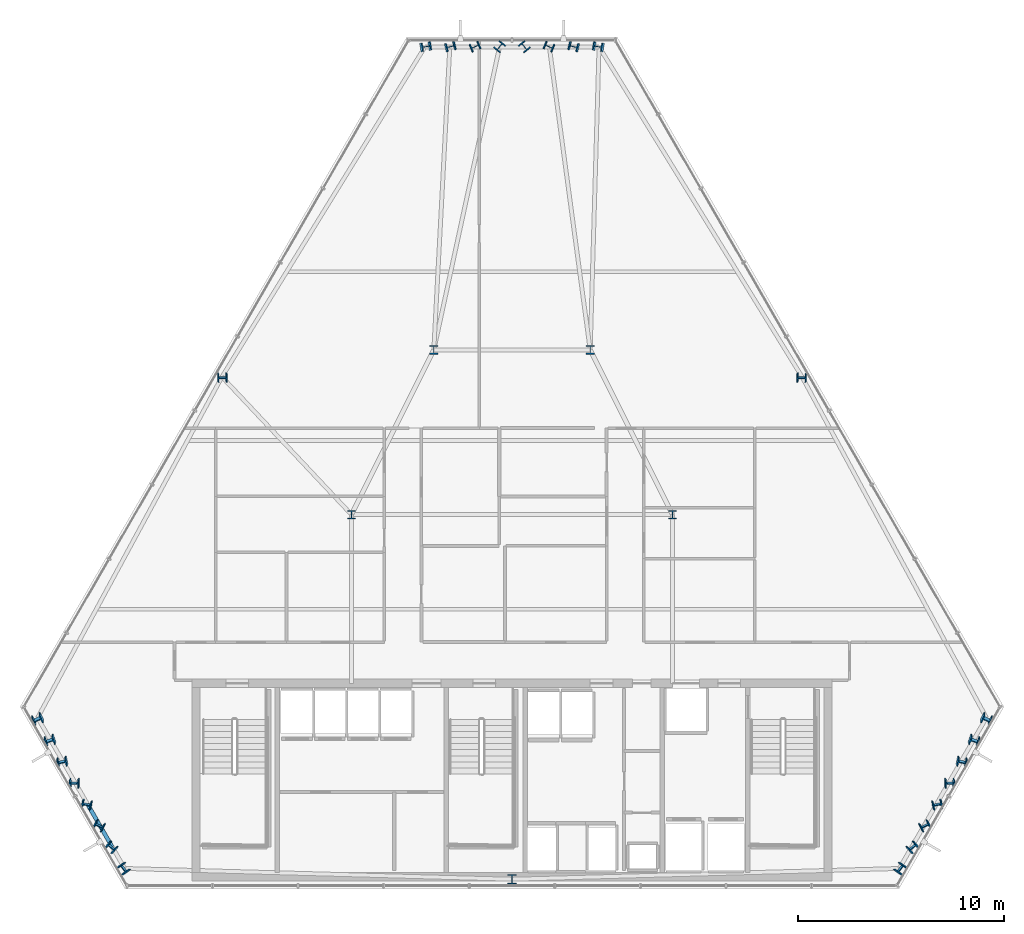
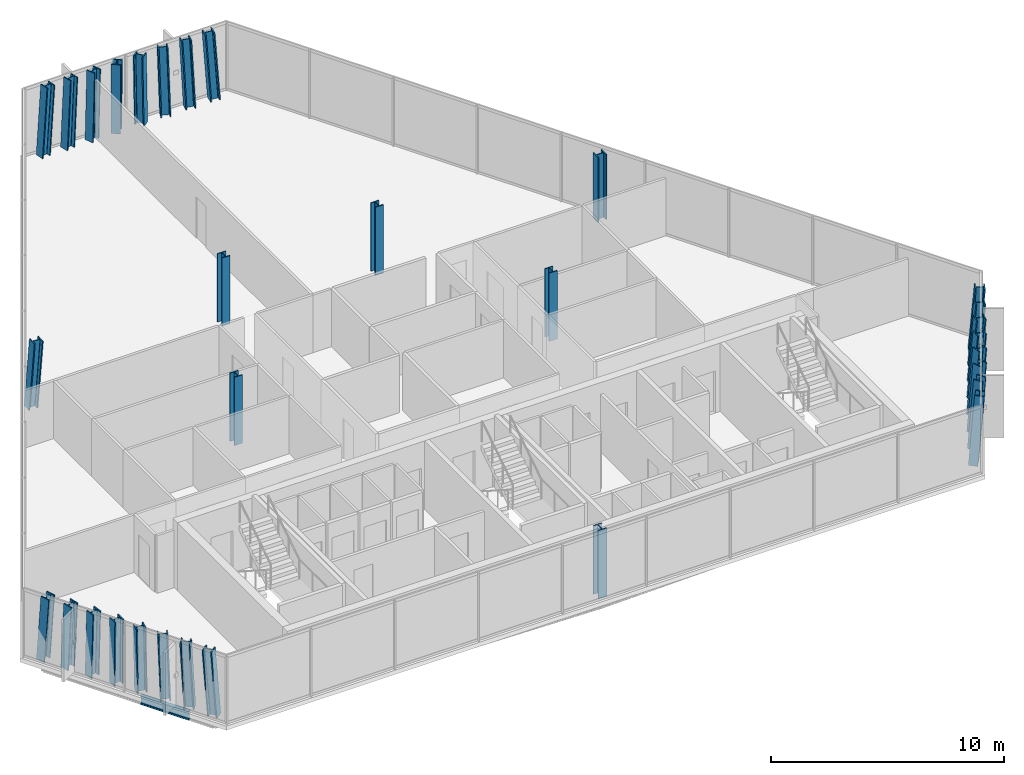
# One storey, part 1 of 35: 31 columns, 2 beams.
"""IFC4 building model written with IfcOpenShell, lengths in metres."""

from ifc_helpers import new_model, si_unit, direction, frame, origin, origin_2d, place, context, subcontext, project, spatial, i_section, extrude, material, material_profile, profile_set, type_object, element, save


model = new_model("IFC4")

# Units and contexts
model_context = context("Model", 3, precision=1e-05, world=origin(), true_north=direction((0.0, 1.0)))
body_context = subcontext(model_context, "Body", "Model", "MODEL_VIEW")
ifc_project = project(units=[si_unit("LENGTHUNIT", "METRE"), si_unit("AREAUNIT", "SQUARE_METRE"), si_unit("VOLUMEUNIT", "CUBIC_METRE"), si_unit("PLANEANGLEUNIT", "RADIAN"), si_unit("MASSUNIT", "GRAM", prefix="KILO")], contexts=[model_context])

# Site, building, storey
site_placement = place(None, origin())
site = spatial("IfcSite", under=ifc_project, at=site_placement, CompositionType="ELEMENT")
building_placement = place(site_placement, origin())
building = spatial("IfcBuilding", under=site, at=building_placement, Name="Ndaravel Arena Tower", CompositionType="ELEMENT")
storey_placement = place(building_placement, frame((0.0, 0.0, 180.199951171875)))
storey = spatial("IfcBuildingStorey", under=building, at=storey_placement, Name="L43", CompositionType="ELEMENT", Elevation=180.199951171875)

# Columns
ifc_material_1 = material(Name="Steel S355", Category="steel")
ifc_material_profile_1 = material_profile(ifc_material_1, i_section(OverallWidth=0.406982421875, OverallDepth=0.4189453125, WebThickness=0.030517578125, FlangeThickness=0.04931640625, FilletRadius=0.01513671875, at=origin_2d()), Name="UC 356x406x393")
ifc_profile_set_1 = profile_set([ifc_material_profile_1], Name="Steel S355")
column_type_1 = type_object("IfcColumnType", Name="COL-INT-UC393", PredefinedType="COLUMN", material=ifc_profile_set_1)
for number, where, z_axis, x_axis, name in (
    (1, (34.199951171875, 23.199951171875, 0.0), (0.0, 0.0, 1.0), (1.0, 0.0, 0.0), "L43 Interior Spine Column IC-01"),
    (2, (49.800048828125, 23.199951171875, 0.0), (0.0, 0.0, 1.0), (1.0, 0.0, 0.0), "L43 Interior Spine Column IC-02"),
    (3, (38.199951171875, 31.199951171875, 0.0), (0.0, 0.0, 1.0), (1.0, 0.0, 0.0), "L43 Interior Spine Column IC-03"),
    (4, (45.800048828125, 31.199951171875, 0.0), (0.0, 0.0, 1.0), (1.0, 0.0, 0.0), "L43 Interior Spine Column IC-04"),
):
    element("IfcColumn", number, at=place(storey_placement, frame(where, z_axis=z_axis, x_axis=x_axis)), inside=storey, type_object=column_type_1, Name=name, PredefinedType="COLUMN", context=body_context, shape_type="SweptSolid", body=[
        extrude(i_section(OverallWidth=0.406982421875, OverallDepth=0.4189453125, WebThickness=0.030517578125, FlangeThickness=0.04931640625, FilletRadius=0.01513671875, at=origin_2d()), origin(), (0.0, 0.0, 1.0), 3.580078125),
    ])
ifc_material_2 = material(Name="Steel S355", Category="steel")
ifc_material_profile_2 = material_profile(ifc_material_2, i_section(OverallWidth=0.41796875, OverallDepth=0.455078125, WebThickness=0.0419921875, FlangeThickness=0.052001953125, FilletRadius=0.014892578125, at=origin_2d()), Name="HD 400x551")
ifc_profile_set_2 = profile_set([ifc_material_profile_2], Name="Steel S355")
column_type_2 = type_object("IfcColumnType", Name="COL-TUBE-HD551", PredefinedType="COLUMN", material=ifc_profile_set_2)
column_1_placement = place(storey_placement, frame((42.0, 5.47998046875, 0.0), z_axis=(0.0, 0.0, 1.0), x_axis=(1.0, 0.0, 0.0)))
element("IfcColumn", 5, at=column_1_placement, inside=storey, type_object=column_type_2, Name="L43 Framed Tube Column TC-01", PredefinedType="COLUMN", context=body_context, shape_type="SweptSolid", body=[
    extrude(i_section(OverallWidth=0.41796875, OverallDepth=0.455078125, WebThickness=0.0419921875, FlangeThickness=0.052001953125, FilletRadius=0.014892578125, at=origin_2d()), origin(), (0.0, 0.0, 1.0), 3.580078125),
])
column_2_placement = place(storey_placement, frame((60.82080078125, 6.00341796875, 0.0), z_axis=(0.08148987416, -0.008631537964, 0.9966367929), x_axis=(-0.805645164111, 0.588132248959, 0.070967085883)))
element("IfcColumn", 6, at=column_2_placement, inside=storey, type_object=column_type_2, Name="L43 Framed Tube Column TC-02", PredefinedType="COLUMN", context=body_context, shape_type="SweptSolid", body=[
    extrude(i_section(OverallWidth=0.41796875, OverallDepth=0.455078125, WebThickness=0.0419921875, FlangeThickness=0.052001953125, FilletRadius=0.014892578125, at=origin_2d()), origin(), (0.0, 0.0, 1.0), 3.592041015625),
])
column_3_placement = place(storey_placement, frame((61.425048828125, 7.0498046875, 0.0), z_axis=(0.071600422233, -0.025702715673, 0.99710217628), x_axis=(-0.643804106231, 0.762348893393, 0.065881997106)))
element("IfcColumn", 7, at=column_3_placement, inside=storey, type_object=column_type_2, Name="L43 Framed Tube Column TC-03", PredefinedType="COLUMN", context=body_context, shape_type="SweptSolid", body=[
    extrude(i_section(OverallWidth=0.41796875, OverallDepth=0.455078125, WebThickness=0.0419921875, FlangeThickness=0.052001953125, FilletRadius=0.014892578125, at=origin_2d()), origin(), (0.0, 0.0, 1.0), 3.590576171875),
])
column_4_placement = place(storey_placement, frame((62.029296875, 8.096435546875, 0.0), z_axis=(0.061677321866, -0.042908919622, 0.997173371377), x_axis=(-0.423353805022, 0.903624703741, 0.065068814049)))
element("IfcColumn", 8, at=column_4_placement, inside=storey, type_object=column_type_2, Name="L43 Framed Tube Column TC-04", PredefinedType="COLUMN", context=body_context, shape_type="SweptSolid", body=[
    extrude(i_section(OverallWidth=0.41796875, OverallDepth=0.455078125, WebThickness=0.0419921875, FlangeThickness=0.052001953125, FilletRadius=0.014892578125, at=origin_2d()), origin(), (0.0, 0.0, 1.0), 3.59033203125),
])
column_5_placement = place(storey_placement, frame((62.633544921875, 9.14306640625, 0.0), z_axis=(0.051732394195, -0.060093871838, 0.996851285779), x_axis=(-0.184296323413, 0.980468882548, 0.068670485153)))
element("IfcColumn", 9, at=column_5_placement, inside=storey, type_object=column_type_2, Name="L43 Framed Tube Column TC-05", PredefinedType="COLUMN", context=body_context, shape_type="SweptSolid", body=[
    extrude(i_section(OverallWidth=0.41796875, OverallDepth=0.455078125, WebThickness=0.0419921875, FlangeThickness=0.052001953125, FilletRadius=0.014892578125, at=origin_2d()), origin(), (0.0, 0.0, 1.0), 3.59130859375),
])
column_6_placement = place(storey_placement, frame((63.23779296875, 10.189697265625, 0.0), z_axis=(0.041845245967, -0.077237085495, 0.996134231926), x_axis=(0.028682489394, 0.996689455554, 0.076075252148)))
element("IfcColumn", 10, at=column_6_placement, inside=storey, type_object=column_type_2, Name="L43 Framed Tube Column TC-06", PredefinedType="COLUMN", context=body_context, shape_type="SweptSolid", body=[
    extrude(i_section(OverallWidth=0.41796875, OverallDepth=0.455078125, WebThickness=0.0419921875, FlangeThickness=0.052001953125, FilletRadius=0.014892578125, at=origin_2d()), origin(), (0.0, 0.0, 1.0), 3.593994140625),
])
column_7_placement = place(storey_placement, frame((63.842041015625, 11.236328125, 0.0), z_axis=(0.031892225562, -0.094251704904, 0.995037437522), x_axis=(0.197419018673, 0.976524632367, 0.086170606627)))
element("IfcColumn", 11, at=column_7_placement, inside=storey, type_object=column_type_2, Name="L43 Framed Tube Column TC-07", PredefinedType="COLUMN", context=body_context, shape_type="SweptSolid", body=[
    extrude(i_section(OverallWidth=0.41796875, OverallDepth=0.455078125, WebThickness=0.0419921875, FlangeThickness=0.052001953125, FilletRadius=0.014892578125, at=origin_2d()), origin(), (0.0, 0.0, 1.0), 3.597900390625),
])
column_8_placement = place(storey_placement, frame((64.4462890625, 12.282958984375, 0.0), z_axis=(0.021952406757, -0.111252629304, 0.993549668769), x_axis=(0.323971098461, 0.940956128411, 0.098205355084)))
element("IfcColumn", 12, at=column_8_placement, inside=storey, type_object=column_type_2, Name="L43 Framed Tube Column TC-08", PredefinedType="COLUMN", context=body_context, shape_type="SweptSolid", body=[
    extrude(i_section(OverallWidth=0.41796875, OverallDepth=0.455078125, WebThickness=0.0419921875, FlangeThickness=0.052001953125, FilletRadius=0.014892578125, at=origin_2d()), origin(), (0.0, 0.0, 1.0), 3.603271484375),
])
column_9_placement = place(storey_placement, frame((65.050537109375, 13.32958984375, 0.0), z_axis=(0.012037594099, -0.1281530383, 0.991681347562), x_axis=(0.417491976422, 0.901817260286, 0.111472322452)))
element("IfcColumn", 13, at=column_9_placement, inside=storey, type_object=column_type_2, Name="L43 Framed Tube Column TC-09", PredefinedType="COLUMN", context=body_context, shape_type="SweptSolid", body=[
    extrude(i_section(OverallWidth=0.41796875, OverallDepth=0.455078125, WebThickness=0.0419921875, FlangeThickness=0.052001953125, FilletRadius=0.014892578125, at=origin_2d()), origin(), (0.0, 0.0, 1.0), 3.610107421875),
])
column_10_placement = place(storey_placement, frame((56.093505859375, 29.890380859375, 0.0), z_axis=(-0.0361845756, -0.062506813866, 0.997388377067), x_axis=(2.0975566e-05, 0.998041923264, 0.062548532902)))
element("IfcColumn", 14, at=column_10_placement, inside=storey, type_object=column_type_2, Name="L43 Framed Tube Column TC-10", PredefinedType="COLUMN", context=body_context, shape_type="SweptSolid", body=[
    extrude(i_section(OverallWidth=0.41796875, OverallDepth=0.455078125, WebThickness=0.0419921875, FlangeThickness=0.052001953125, FilletRadius=0.014892578125, at=origin_2d()), origin(), (0.0, 0.0, 1.0), 3.58935546875),
])
column_11_placement = place(storey_placement, frame((46.229736328125, 45.92822265625, 0.0), z_axis=(-0.069385118974, 0.012380482013, 0.997513122184), x_axis=(-0.175657019278, -0.984451426724, 0.0)))
element("IfcColumn", 15, at=column_11_placement, inside=storey, type_object=column_type_2, Name="L43 Framed Tube Column TC-11", PredefinedType="COLUMN", context=body_context, shape_type="SweptSolid", body=[
    extrude(i_section(OverallWidth=0.41796875, OverallDepth=0.455078125, WebThickness=0.0419921875, FlangeThickness=0.052001953125, FilletRadius=0.014892578125, at=origin_2d()), origin(), (0.0, 0.0, 1.0), 3.589111328125),
])
column_12_placement = place(storey_placement, frame((45.021240234375, 45.92822265625, 0.0), z_axis=(-0.049648451453, 0.012395086645, 0.998689838286), x_axis=(-0.242222461191, -0.970220737407, 0.0)))
element("IfcColumn", 16, at=column_12_placement, inside=storey, type_object=column_type_2, Name="L43 Framed Tube Column TC-12", PredefinedType="COLUMN", context=body_context, shape_type="SweptSolid", body=[
    extrude(i_section(OverallWidth=0.41796875, OverallDepth=0.455078125, WebThickness=0.0419921875, FlangeThickness=0.052001953125, FilletRadius=0.014892578125, at=origin_2d()), origin(), (0.0, 0.0, 1.0), 3.584716796875),
])
column_13_placement = place(storey_placement, frame((43.812744140625, 45.92822265625, 0.0), z_axis=(-0.029785356767, 0.012404885427, 0.999479340127), x_axis=(-0.384465383289, -0.923139409327, 0.0)))
element("IfcColumn", 17, at=column_13_placement, inside=storey, type_object=column_type_2, Name="L43 Framed Tube Column TC-13", PredefinedType="COLUMN", context=body_context, shape_type="SweptSolid", body=[
    extrude(i_section(OverallWidth=0.41796875, OverallDepth=0.455078125, WebThickness=0.0419921875, FlangeThickness=0.052001953125, FilletRadius=0.014892578125, at=origin_2d()), origin(), (0.0, 0.0, 1.0), 3.58203125),
])
for number, where, z_axis, x_axis, name in (
    (18, (42.604248046875, 45.92822265625, 0.0), (-0.009955095612, 0.012409776722, 0.999873438748), (-0.780031838684, -0.625739826637, 0.0), "L43 Framed Tube Column TC-14"),
    (19, (41.395751953125, 45.92822265625, 0.0), (0.009955095612, 0.012409776722, 0.999873438748), (-0.780031838684, 0.625739826637, 0.0), "L43 Framed Tube Column TC-15"),
):
    element("IfcColumn", number, at=place(storey_placement, frame(where, z_axis=z_axis, x_axis=x_axis)), inside=storey, type_object=column_type_2, Name=name, PredefinedType="COLUMN", context=body_context, shape_type="SweptSolid", body=[
        extrude(i_section(OverallWidth=0.41796875, OverallDepth=0.455078125, WebThickness=0.0419921875, FlangeThickness=0.052001953125, FilletRadius=0.014892578125, at=origin_2d()), origin(), (0.0, 0.0, 1.0), 3.58056640625),
    ])
column_14_placement = place(storey_placement, frame((40.187255859375, 45.92822265625, 0.0), z_axis=(0.029785356767, 0.012404885427, 0.999479340127), x_axis=(-0.384465383289, 0.923139409327, 0.0)))
element("IfcColumn", 20, at=column_14_placement, inside=storey, type_object=column_type_2, Name="L43 Framed Tube Column TC-16", PredefinedType="COLUMN", context=body_context, shape_type="SweptSolid", body=[
    extrude(i_section(OverallWidth=0.41796875, OverallDepth=0.455078125, WebThickness=0.0419921875, FlangeThickness=0.052001953125, FilletRadius=0.014892578125, at=origin_2d()), origin(), (0.0, 0.0, 1.0), 3.58203125),
])
column_15_placement = place(storey_placement, frame((38.978759765625, 45.92822265625, 0.0), z_axis=(0.049648451453, 0.012395086645, 0.998689838286), x_axis=(-0.242222461191, 0.970220737407, 0.0)))
element("IfcColumn", 21, at=column_15_placement, inside=storey, type_object=column_type_2, Name="L43 Framed Tube Column TC-17", PredefinedType="COLUMN", context=body_context, shape_type="SweptSolid", body=[
    extrude(i_section(OverallWidth=0.41796875, OverallDepth=0.455078125, WebThickness=0.0419921875, FlangeThickness=0.052001953125, FilletRadius=0.014892578125, at=origin_2d()), origin(), (0.0, 0.0, 1.0), 3.584716796875),
])
column_16_placement = place(storey_placement, frame((37.770263671875, 45.92822265625, 0.0), z_axis=(0.069385118974, 0.012380482013, 0.997513122184), x_axis=(-0.175657019278, 0.984451426724, 0.0)))
element("IfcColumn", 22, at=column_16_placement, inside=storey, type_object=column_type_2, Name="L43 Framed Tube Column TC-18", PredefinedType="COLUMN", context=body_context, shape_type="SweptSolid", body=[
    extrude(i_section(OverallWidth=0.41796875, OverallDepth=0.455078125, WebThickness=0.0419921875, FlangeThickness=0.052001953125, FilletRadius=0.014892578125, at=origin_2d()), origin(), (0.0, 0.0, 1.0), 3.589111328125),
])
column_17_placement = place(storey_placement, frame((27.906494140625, 29.890380859375, 0.0), z_axis=(0.0361845756, -0.062506813866, 0.997388377067), x_axis=(-2.0975566e-05, 0.998041923264, 0.062548532902)))
element("IfcColumn", 23, at=column_17_placement, inside=storey, type_object=column_type_2, Name="L43 Framed Tube Column TC-19", PredefinedType="COLUMN", context=body_context, shape_type="SweptSolid", body=[
    extrude(i_section(OverallWidth=0.41796875, OverallDepth=0.455078125, WebThickness=0.0419921875, FlangeThickness=0.052001953125, FilletRadius=0.014892578125, at=origin_2d()), origin(), (0.0, 0.0, 1.0), 3.58935546875),
])
column_18_placement = place(storey_placement, frame((18.949462890625, 13.32958984375, 0.0), z_axis=(-0.012037594099, -0.1281530383, 0.991681347562), x_axis=(-0.417491976422, 0.901817260286, 0.111472322452)))
element("IfcColumn", 24, at=column_18_placement, inside=storey, type_object=column_type_2, Name="L43 Framed Tube Column TC-20", PredefinedType="COLUMN", context=body_context, shape_type="SweptSolid", body=[
    extrude(i_section(OverallWidth=0.41796875, OverallDepth=0.455078125, WebThickness=0.0419921875, FlangeThickness=0.052001953125, FilletRadius=0.014892578125, at=origin_2d()), origin(), (0.0, 0.0, 1.0), 3.610107421875),
])
column_19_placement = place(storey_placement, frame((19.5537109375, 12.282958984375, 0.0), z_axis=(-0.021952406757, -0.111252629304, 0.993549668769), x_axis=(-0.323971098461, 0.940956128411, 0.098205355084)))
element("IfcColumn", 25, at=column_19_placement, inside=storey, type_object=column_type_2, Name="L43 Framed Tube Column TC-21", PredefinedType="COLUMN", context=body_context, shape_type="SweptSolid", body=[
    extrude(i_section(OverallWidth=0.41796875, OverallDepth=0.455078125, WebThickness=0.0419921875, FlangeThickness=0.052001953125, FilletRadius=0.014892578125, at=origin_2d()), origin(), (0.0, 0.0, 1.0), 3.603271484375),
])
column_20_placement = place(storey_placement, frame((20.157958984375, 11.236328125, 0.0), z_axis=(-0.031892225562, -0.094251704904, 0.995037437522), x_axis=(-0.197419018673, 0.976524632367, 0.086170606627)))
element("IfcColumn", 26, at=column_20_placement, inside=storey, type_object=column_type_2, Name="L43 Framed Tube Column TC-22", PredefinedType="COLUMN", context=body_context, shape_type="SweptSolid", body=[
    extrude(i_section(OverallWidth=0.41796875, OverallDepth=0.455078125, WebThickness=0.0419921875, FlangeThickness=0.052001953125, FilletRadius=0.014892578125, at=origin_2d()), origin(), (0.0, 0.0, 1.0), 3.597900390625),
])
column_21_placement = place(storey_placement, frame((20.76220703125, 10.189697265625, 0.0), z_axis=(-0.041845245967, -0.077237085495, 0.996134231926), x_axis=(-0.028682489394, 0.996689455554, 0.076075252148)))
element("IfcColumn", 27, at=column_21_placement, inside=storey, type_object=column_type_2, Name="L43 Framed Tube Column TC-23", PredefinedType="COLUMN", context=body_context, shape_type="SweptSolid", body=[
    extrude(i_section(OverallWidth=0.41796875, OverallDepth=0.455078125, WebThickness=0.0419921875, FlangeThickness=0.052001953125, FilletRadius=0.014892578125, at=origin_2d()), origin(), (0.0, 0.0, 1.0), 3.593994140625),
])
column_22_placement = place(storey_placement, frame((21.366455078125, 9.14306640625, 0.0), z_axis=(-0.051732394195, -0.060093871838, 0.996851285779), x_axis=(0.184296323413, 0.980468882548, 0.068670485153)))
element("IfcColumn", 28, at=column_22_placement, inside=storey, type_object=column_type_2, Name="L43 Framed Tube Column TC-24", PredefinedType="COLUMN", context=body_context, shape_type="SweptSolid", body=[
    extrude(i_section(OverallWidth=0.41796875, OverallDepth=0.455078125, WebThickness=0.0419921875, FlangeThickness=0.052001953125, FilletRadius=0.014892578125, at=origin_2d()), origin(), (0.0, 0.0, 1.0), 3.59130859375),
])
column_23_placement = place(storey_placement, frame((21.970703125, 8.096435546875, 0.0), z_axis=(-0.061677321866, -0.042908919622, 0.997173371377), x_axis=(0.423353805022, 0.903624703741, 0.065068814049)))
element("IfcColumn", 29, at=column_23_placement, inside=storey, type_object=column_type_2, Name="L43 Framed Tube Column TC-25", PredefinedType="COLUMN", context=body_context, shape_type="SweptSolid", body=[
    extrude(i_section(OverallWidth=0.41796875, OverallDepth=0.455078125, WebThickness=0.0419921875, FlangeThickness=0.052001953125, FilletRadius=0.014892578125, at=origin_2d()), origin(), (0.0, 0.0, 1.0), 3.59033203125),
])
column_24_placement = place(storey_placement, frame((22.574951171875, 7.0498046875, 0.0), z_axis=(-0.071600422233, -0.025702715673, 0.99710217628), x_axis=(0.643804106231, 0.762348893393, 0.065881997106)))
element("IfcColumn", 30, at=column_24_placement, inside=storey, type_object=column_type_2, Name="L43 Framed Tube Column TC-26", PredefinedType="COLUMN", context=body_context, shape_type="SweptSolid", body=[
    extrude(i_section(OverallWidth=0.41796875, OverallDepth=0.455078125, WebThickness=0.0419921875, FlangeThickness=0.052001953125, FilletRadius=0.014892578125, at=origin_2d()), origin(), (0.0, 0.0, 1.0), 3.590576171875),
])
column_25_placement = place(storey_placement, frame((23.17919921875, 6.00341796875, 0.0), z_axis=(-0.08148987416, -0.008631537964, 0.9966367929), x_axis=(0.805645164111, 0.588132248959, 0.070967085883)))
element("IfcColumn", 31, at=column_25_placement, inside=storey, type_object=column_type_2, Name="L43 Framed Tube Column TC-27", PredefinedType="COLUMN", context=body_context, shape_type="SweptSolid", body=[
    extrude(i_section(OverallWidth=0.41796875, OverallDepth=0.455078125, WebThickness=0.0419921875, FlangeThickness=0.052001953125, FilletRadius=0.014892578125, at=origin_2d()), origin(), (0.0, 0.0, 1.0), 3.592041015625),
])

# Beams
ifc_material_3 = material(Name="Steel S355", Category="steel")
ifc_material_profile_3 = material_profile(ifc_material_3, i_section(OverallWidth=0.18994140625, OverallDepth=0.449951171875, WebThickness=0.009521484375, FlangeThickness=0.0146484375, FilletRadius=0.02099609375, at=origin_2d()), Name="IPE 450")
ifc_profile_set_3 = profile_set([ifc_material_profile_3], Name="Steel S355")
beam_type = type_object("IfcBeamType", Name="BM-SPAN-IPE450", PredefinedType="SPANDREL", material=ifc_profile_set_3)
for number, where, z_axis, x_axis, name in (
    (32, (21.366455078125, 9.14306640625, -0.445068359375), (0.499984757355, -0.866034203951, 0.0), (0.866034203951, 0.499984757355, 0.0), "L43 Perimeter Spandrel Beam SP-24"),
    (33, (21.970703125, 8.096435546875, -0.445068359375), (0.499984757355, -0.866034203951, 0.0), (0.866034203951, 0.499984757355, 0.0), "L43 Perimeter Spandrel Beam SP-25"),
):
    element("IfcBeam", number, at=place(storey_placement, frame(where, z_axis=z_axis, x_axis=x_axis)), inside=storey, type_object=beam_type, Name=name, PredefinedType="SPANDREL", context=body_context, shape_type="SweptSolid", body=[
        extrude(i_section(OverallWidth=0.18994140625, OverallDepth=0.449951171875, WebThickness=0.009521484375, FlangeThickness=0.0146484375, FilletRadius=0.02099609375, at=origin_2d()), origin(), (0.0, 0.0, 1.0), 1.20849609375),
    ])

save(model, "model.ifc")
